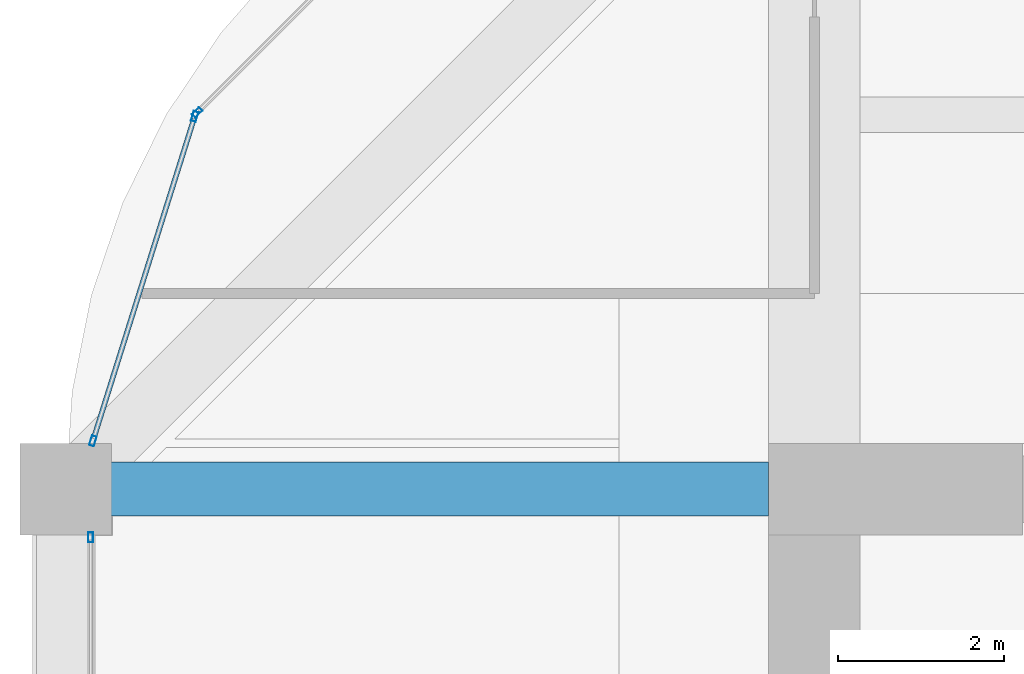
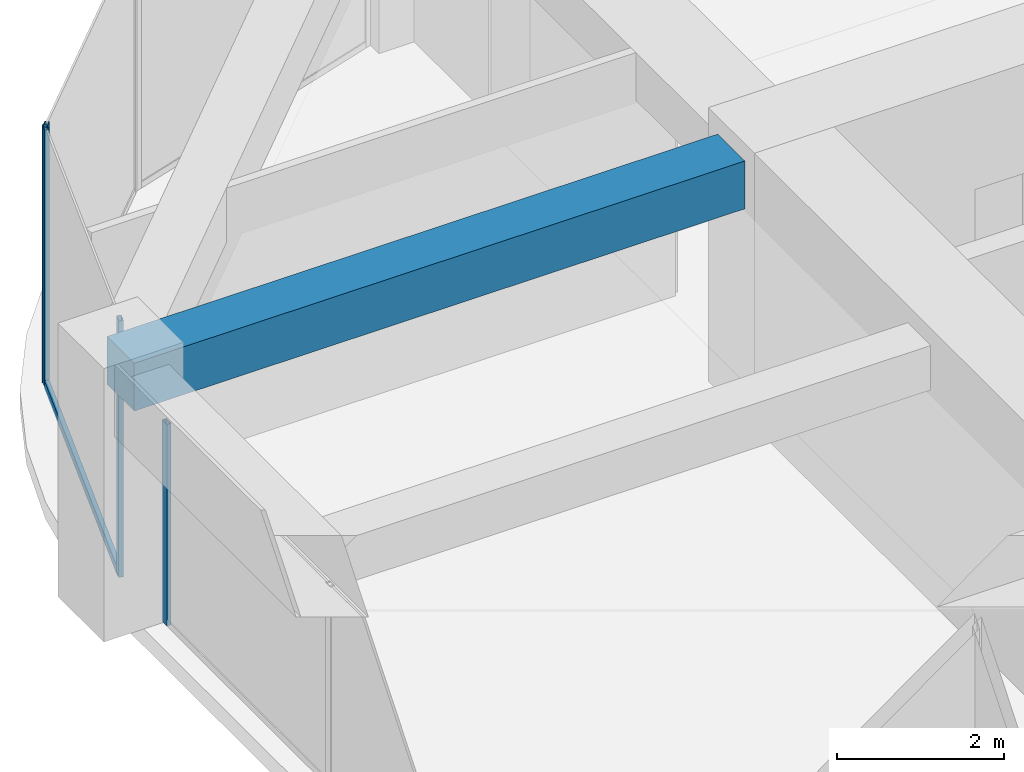
# One storey, part 28 of 44: 5 members, 1 beam, 3 elements without a shape of their own.
"""IFC4 building model written with IfcOpenShell, lengths in metres."""

import ifcopenshell
import ifcopenshell.guid

model = None  # the IFC model being written
_history = None  # IfcOwnerHistory: only IFC2X3 demands one
_inside = {}  # id of a spatial element -> (the spatial element, [elements in it])
_under = {}  # id of a project, library or spatial element -> (it, [spatial elements below it])
_declared = {}  # id of a project -> (the project, [libraries it declares])
_typed = {}  # id of a type object -> (the type object, [elements of that type])
_made_of = {}  # id of a material, layer set ... -> (it, [elements and type objects made of it])


def new_model(schema):
    """Start an empty IFC model of exactly this schema.

    Asked for "IFC4X3", IfcOpenShell would pick the latest addendum, in which some entities
    have other attributes; the version numbers below select the first issue.
    IFC2X3 requires an IfcOwnerHistory on every rooted entity: one is made here for all.
    """
    global model, _history
    if schema == "IFC4X3":
        model = ifcopenshell.file(schema_version=(4, 3, 0, 0))
    else:
        model = ifcopenshell.file(schema=schema)
    _inside.clear()
    _under.clear()
    _declared.clear()
    _typed.clear()
    _made_of.clear()
    _history = None
    if model.schema == "IFC2X3":
        org = make("IfcOrganization", Name="unknown")
        user = make(
            "IfcPersonAndOrganization",
            ThePerson=make("IfcPerson", FamilyName="unknown"),
            TheOrganization=org,
        )
        app = make(
            "IfcApplication",
            ApplicationDeveloper=org,
            Version="unknown",
            ApplicationFullName="unknown",
            ApplicationIdentifier="unknown",
        )
        _history = make(
            "IfcOwnerHistory",
            OwningUser=user,
            OwningApplication=app,
            ChangeAction="ADDED",
            CreationDate=0,
        )
    return model


def make(cls, **values):
    """One entity of the class cls with the attributes given. An attribute that is None is left unset."""
    return model.create_entity(
        cls, **{name: value for name, value in values.items() if value is not None}
    )


def rooted(cls, **values):
    """An entity with a GlobalId (a new one), such as an element, a storey or a relation."""
    return make(cls, GlobalId=ifcopenshell.guid.new(), OwnerHistory=_history, **values)


def si_unit(unit_type, name, prefix=None):
    """IfcSIUnit, for example si_unit("LENGTHUNIT", "METRE", prefix="MILLI")."""
    return make("IfcSIUnit", UnitType=unit_type, Prefix=prefix, Name=name)


def assignment(units):
    """IfcUnitAssignment: the units of a project."""
    return None if units is None else make("IfcUnitAssignment", Units=units)


def point(xyz):
    """IfcCartesianPoint."""
    return None if xyz is None else make("IfcCartesianPoint", Coordinates=xyz)


def direction(xyz):
    """IfcDirection."""
    return None if xyz is None else make("IfcDirection", DirectionRatios=xyz)


def frame(location, z_axis=None, x_axis=None):
    """IfcAxis2Placement3D, a coordinate frame: its origin and axes. An axis left out is left unset."""
    return make(
        "IfcAxis2Placement3D",
        Location=point(location),
        Axis=direction(z_axis),
        RefDirection=direction(x_axis),
    )


def frame_2d(location, x_axis=None):
    """IfcAxis2Placement2D, a coordinate frame in the plane: its origin and x axis."""
    return make(
        "IfcAxis2Placement2D", Location=point(location), RefDirection=direction(x_axis)
    )


def origin():
    """The frame at (0, 0, 0) with its axes left unset."""
    return frame((0.0, 0.0, 0.0))


def origin_2d():
    """The frame at (0, 0) in the plane with its x axis left unset."""
    return frame_2d((0.0, 0.0))


def place(relative_to, where):
    """IfcLocalPlacement: puts the frame where relative to a parent placement (None: the world)."""
    return make(
        "IfcLocalPlacement", PlacementRelTo=relative_to, RelativePlacement=where
    )


def context(
    kind, dimensions, precision=None, world=None, true_north=None, identifier=None
):
    """IfcGeometricRepresentationContext, for example the 3D "Model" context."""
    return make(
        "IfcGeometricRepresentationContext",
        ContextIdentifier=identifier,
        ContextType=kind,
        CoordinateSpaceDimension=dimensions,
        Precision=precision,
        WorldCoordinateSystem=world,
        TrueNorth=true_north,
    )


def subcontext(parent, identifier, kind, view, scale=None):
    """IfcGeometricRepresentationSubContext, for example "Body" below "Model"."""
    return make(
        "IfcGeometricRepresentationSubContext",
        ContextIdentifier=identifier,
        ContextType=kind,
        ParentContext=parent,
        TargetScale=scale,
        TargetView=view,
    )


def project(units=None, contexts=None):
    """IfcProject with its units and contexts."""
    return rooted(
        "IfcProject",
        Name="project",
        RepresentationContexts=contexts,
        UnitsInContext=assignment(units),
    )


def spatial(cls, under=None, at=None, **own):
    """A site, building, storey or space (cls), placed at a placement, below another one or the project."""
    s = rooted(cls, ObjectPlacement=at, **own)
    if under is not None:
        _under.setdefault(under.id(), (under, []))[1].append(s)
    return s


def profile(cls, at=None, kind="AREA", **sizes):
    """A parametric profile (cls). Its sizes go by their IFC names, for example OverallWidth=200.0."""
    return make(cls, ProfileType=kind, Position=at, **sizes)


def rectangle(**sizes):
    """IfcRectangleProfileDef."""
    return profile("IfcRectangleProfileDef", **sizes)


def hollow_rectangle(**sizes):
    """IfcRectangleHollowProfileDef."""
    return profile("IfcRectangleHollowProfileDef", **sizes)


def extrude(swept, where, along, depth):
    """IfcExtrudedAreaSolid: the profile swept, set in the frame where, extruded along a direction by depth."""
    return make(
        "IfcExtrudedAreaSolid",
        SweptArea=swept,
        Position=where,
        ExtrudedDirection=direction(along),
        Depth=depth,
    )


def shape(context_of_items, identifier, shape_type, items):
    """IfcShapeRepresentation: the items that make up one representation, for example the "Body"."""
    return make(
        "IfcShapeRepresentation",
        ContextOfItems=context_of_items,
        RepresentationIdentifier=identifier,
        RepresentationType=shape_type,
        Items=items,
    )


def material(Name=None, Category=None):
    """IfcMaterial."""
    return make("IfcMaterial", Name=Name, Category=Category)


def material_profile(
    of_material, cross_section, Name=None, Category=None, Priority=None
):
    """IfcMaterialProfile: a cross section and its material."""
    return make(
        "IfcMaterialProfile",
        Name=Name,
        Material=of_material,
        Profile=cross_section,
        Priority=Priority,
        Category=Category,
    )


def profile_set(profiles, Name=None, composite=None):
    """IfcMaterialProfileSet."""
    return make(
        "IfcMaterialProfileSet",
        Name=Name,
        MaterialProfiles=profiles,
        CompositeProfile=composite,
    )


def made_of(thing, what):
    """Note that an element or type object is made of a material, layer set ...; save() writes the relation."""
    if what is not None:
        _made_of.setdefault(what.id(), (what, []))[1].append(thing)
    return thing


def type_object(cls, material=None, **own):
    """A type object (cls), such as IfcWallType, which elements share."""
    return made_of(rooted(cls, **own), material)


def element(
    cls,
    number,
    at=None,
    inside=None,
    cuts=None,
    type_object=None,
    material=None,
    context=None,
    identifier="Body",
    shape_type=None,
    held_by="IfcProductDefinitionShape",
    body=None,
    shapes=None,
    **own,
):
    """One element of the class cls, such as IfcWall. Its Tag is "e" and its number.

    at: its placement. inside: the storey or other place that contains it. cuts: it is an
    opening in that element (IfcRelVoidsElement). A single representation is given by context,
    identifier, shape_type and body (its items); several are given by shapes. held_by: the class
    of the entity that holds the representations. save() writes the other relations.
    """
    e = rooted(cls, Tag="e%d" % number, ObjectPlacement=at, **own)
    if body is not None:
        shapes = [shape(context, identifier, shape_type, body)]
    if shapes is not None:
        e.Representation = make(held_by, Representations=shapes)
    if inside is not None:
        _inside.setdefault(inside.id(), (inside, []))[1].append(e)
    if cuts is not None:
        rooted(
            "IfcRelVoidsElement", RelatingBuildingElement=cuts, RelatedOpeningElement=e
        )
    if type_object is not None:
        _typed.setdefault(type_object.id(), (type_object, []))[1].append(e)
    return made_of(e, material)


def aggregate(whole, parts):
    """IfcRelAggregates: a whole, such as a stair, and the parts it consists of."""
    return rooted("IfcRelAggregates", RelatingObject=whole, RelatedObjects=parts)


def save(model, path):
    """Write the relations noted so far, then the file.

    IfcRelAggregates (storeys below a building ...), IfcRelContainedInSpatialStructure (elements
    in a storey), IfcRelDefinesByType, IfcRelAssociatesMaterial and IfcRelDeclares: one each for
    every whole, place, type object, material and project.
    """
    for whole, parts in _under.values():
        aggregate(whole, parts)
    for where, things in _inside.values():
        rooted(
            "IfcRelContainedInSpatialStructure",
            RelatedElements=things,
            RelatingStructure=where,
        )
    for kind, things in _typed.values():
        rooted("IfcRelDefinesByType", RelatedObjects=things, RelatingType=kind)
    for what, things in _made_of.values():
        rooted("IfcRelAssociatesMaterial", RelatedObjects=things, RelatingMaterial=what)
    for by, libraries in _declared.values():
        rooted("IfcRelDeclares", RelatingContext=by, RelatedDefinitions=libraries)
    model.write(path)


model = new_model("IFC4")

# Units and contexts
model_context = context("Model", 3, precision=1e-05, world=origin(), true_north=direction((0.0, 1.0)))
body_context = subcontext(model_context, "Body", "Model", "MODEL_VIEW")
ifc_project = project(units=[si_unit("LENGTHUNIT", "METRE"), si_unit("AREAUNIT", "SQUARE_METRE"), si_unit("VOLUMEUNIT", "CUBIC_METRE"), si_unit("PLANEANGLEUNIT", "RADIAN"), si_unit("MASSUNIT", "GRAM", prefix="KILO")], contexts=[model_context])

# Site, building, storey
site_placement = place(None, origin())
site = spatial("IfcSite", under=ifc_project, at=site_placement, CompositionType="ELEMENT")
building_placement = place(site_placement, origin())
building = spatial("IfcBuilding", under=site, at=building_placement, Name="Zorevar Civic Tower", CompositionType="ELEMENT")
storey_placement = place(building_placement, frame((0.0, 0.0, 263.39990234375)))
storey = spatial("IfcBuildingStorey", under=building, at=storey_placement, Name="L64", CompositionType="ELEMENT", Elevation=263.39990234375)

# Beam
ifc_material_1 = material(Name="Concrete C50/60", Category="concrete")
ifc_material_profile_1 = material_profile(ifc_material_1, rectangle(XDim=0.64990234375, YDim=0.699951171875, at=origin_2d()), Name="RC 650x700")
ifc_profile_set_1 = profile_set([ifc_material_profile_1], Name="Concrete C50/60")
beam_type = type_object("IfcBeamType", Name="Beam RC 650x700", PredefinedType="BEAM", material=ifc_profile_set_1)
beam_placement = place(storey_placement, frame((9.0, 36.0, 3.400146484375), z_axis=(1.0, 0.0, 0.0), x_axis=(0.0, 1.0, 0.0)))
element("IfcBeam", 1, at=beam_placement, inside=storey, type_object=beam_type, Name="Girder L65", PredefinedType="BEAM", context=body_context, shape_type="SweptSolid", body=[
    extrude(rectangle(XDim=0.64990234375, YDim=0.699951171875, at=origin_2d()), origin(), (0.0, 0.0, 1.0), 8.449951171875),
])

# Curtain wall, member
ifc_material_2 = material(Name="Dark grey solar-control glass in black aluminium frame", Category="aluminium")
curtain_wall_type = type_object("IfcCurtainWallType", Name="Curtain wall CW5 top zone", PredefinedType="NOTDEFINED", material=ifc_material_2)
curtain_wall_1_placement = place(storey_placement, origin())
curtain_wall_1 = element("IfcCurtainWall", 2, at=curtain_wall_1_placement, inside=storey, type_object=curtain_wall_type, Name="CW5 L64", PredefinedType="NOTDEFINED")
ifc_material_3 = material(Name="Aluminium, black anodised", Category="aluminium")
ifc_material_profile_2 = material_profile(ifc_material_3, hollow_rectangle(XDim=0.06005859375, YDim=0.1201171875, WallThickness=0.0029296875, at=origin_2d()), Name="AL 120x60x3")
ifc_profile_set_2 = profile_set([ifc_material_profile_2], Name="Aluminium, black anodised")
member_type_1 = type_object("IfcMemberType", Name="CW5 mullion AL 120x60x3", PredefinedType="MULLION", material=ifc_profile_set_2)
member_1_placement = place(storey_placement, frame((9.300048828125, 35.419921875, 0.0), z_axis=(0.0, 0.0, 1.0), x_axis=(-1.0, 0.0, 0.0)))
member_1 = element("IfcMember", 3, at=member_1_placement, type_object=member_type_1, Name="CW5 mullion 3", PredefinedType="MULLION", context=body_context, shape_type="SweptSolid", body=[
    extrude(hollow_rectangle(XDim=0.06005859375, YDim=0.1201171875, WallThickness=0.0029296875, at=origin_2d()), origin(), (0.0, 0.0, 1.0), 2.9501953125),
])
aggregate(curtain_wall_1, [member_1])

curtain_wall_2_placement = place(storey_placement, origin())
curtain_wall_2 = element("IfcCurtainWall", 4, at=curtain_wall_2_placement, inside=storey, type_object=curtain_wall_type, Name="CW5 L64", PredefinedType="NOTDEFINED")
member_2_placement = place(storey_placement, frame((10.580322265625, 40.529052734375, 0.0), z_axis=(0.0, 0.0, 1.0), x_axis=(0.707106781187, -0.707106781187, 0.0)))
member_2 = element("IfcMember", 5, at=member_2_placement, type_object=member_type_1, Name="CW5 mullion 2", PredefinedType="MULLION", context=body_context, shape_type="SweptSolid", body=[
    extrude(hollow_rectangle(XDim=0.06005859375, YDim=0.1201171875, WallThickness=0.0029296875, at=origin_2d()), origin(), (0.0, 0.0, 1.0), 3.75),
])
aggregate(curtain_wall_2, [member_2])

# Curtain wall, members
curtain_wall_3_placement = place(storey_placement, origin())
curtain_wall_3 = element("IfcCurtainWall", 6, at=curtain_wall_3_placement, inside=storey, type_object=curtain_wall_type, Name="CW5 L64", PredefinedType="NOTDEFINED")
member_3_placement = place(storey_placement, frame((10.550048828125, 40.479248046875, 0.0), z_axis=(0.0, 0.0, 1.0), x_axis=(0.954153437674, -0.299317920238, 0.0)))
member_3 = element("IfcMember", 7, at=member_3_placement, type_object=member_type_1, Name="CW5 mullion 1", PredefinedType="MULLION", context=body_context, shape_type="SweptSolid", body=[
    extrude(hollow_rectangle(XDim=0.06005859375, YDim=0.1201171875, WallThickness=0.0029296875, at=origin_2d()), origin(), (0.0, 0.0, 1.0), 3.75),
])
member_4_placement = place(storey_placement, frame((9.326416015625, 36.57861328125, 0.0), z_axis=(0.0, 0.0, 1.0), x_axis=(0.954153437674, -0.299317920238, 0.0)))
member_4 = element("IfcMember", 8, at=member_4_placement, type_object=member_type_1, Name="CW5 mullion 2", PredefinedType="MULLION", context=body_context, shape_type="SweptSolid", body=[
    extrude(hollow_rectangle(XDim=0.06005859375, YDim=0.1201171875, WallThickness=0.0029296875, at=origin_2d()), origin(), (0.0, 0.0, 1.0), 3.75),
])
ifc_material_4 = material(Name="Aluminium, black anodised", Category="aluminium")
ifc_material_profile_3 = material_profile(ifc_material_4, hollow_rectangle(XDim=0.06005859375, YDim=0.1201171875, WallThickness=0.0029296875, at=origin_2d()), Name="AL 120x60x3")
ifc_profile_set_3 = profile_set([ifc_material_profile_3], Name="Aluminium, black anodised")
member_type_2 = type_object("IfcMemberType", Name="CW5 transom AL 120x60x3", PredefinedType="USERDEFINED", material=ifc_profile_set_3)
member_5_placement = place(storey_placement, frame((10.541015625, 40.45068359375, 0.030029296875), z_axis=(-0.299285978047, -0.954163457351, 0.0), x_axis=(0.954163457351, -0.299285978047, 0.0)))
member_5 = element("IfcMember", 9, at=member_5_placement, type_object=member_type_2, Name="CW5 sill transom", ObjectType="TRANSOM", PredefinedType="USERDEFINED", context=body_context, shape_type="SweptSolid", body=[
    extrude(hollow_rectangle(XDim=0.06005859375, YDim=0.1201171875, WallThickness=0.0029296875, at=origin_2d()), origin(), (0.0, 0.0, 1.0), 4.028076171875),
])
aggregate(curtain_wall_3, [member_3, member_4, member_5])

save(model, "model.ifc")
